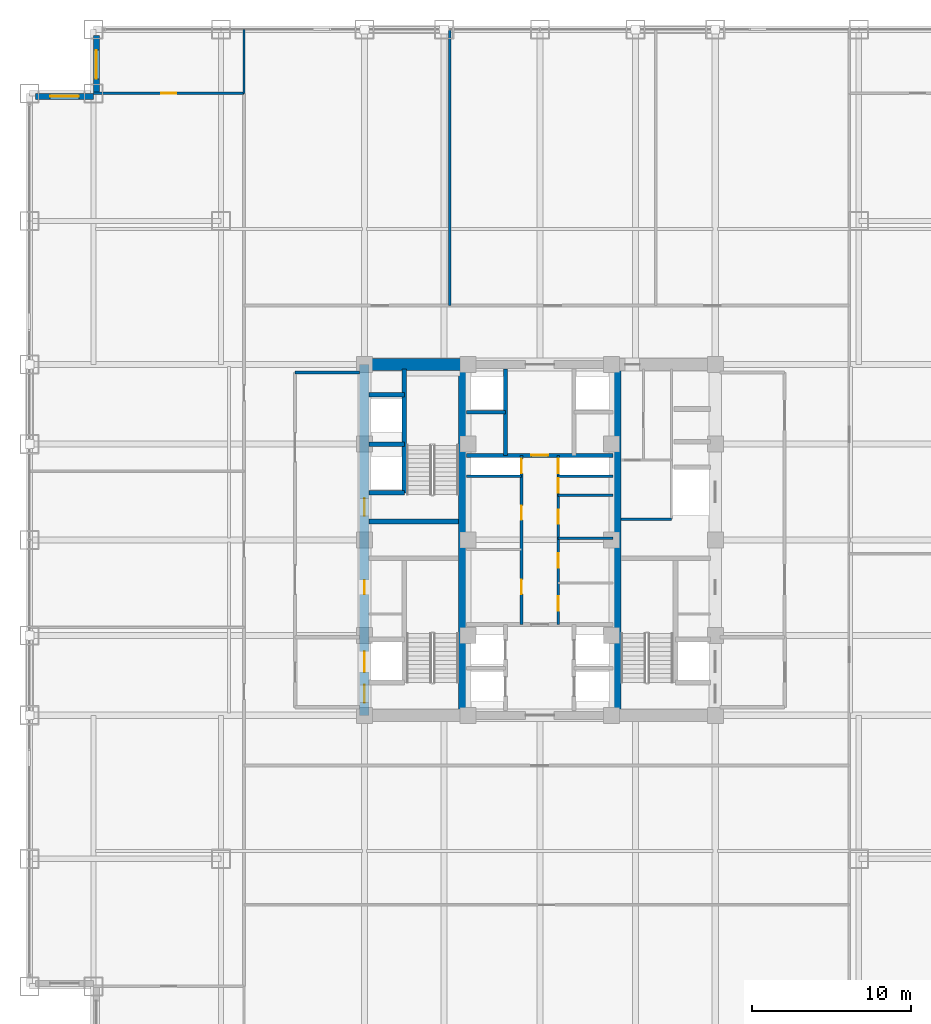
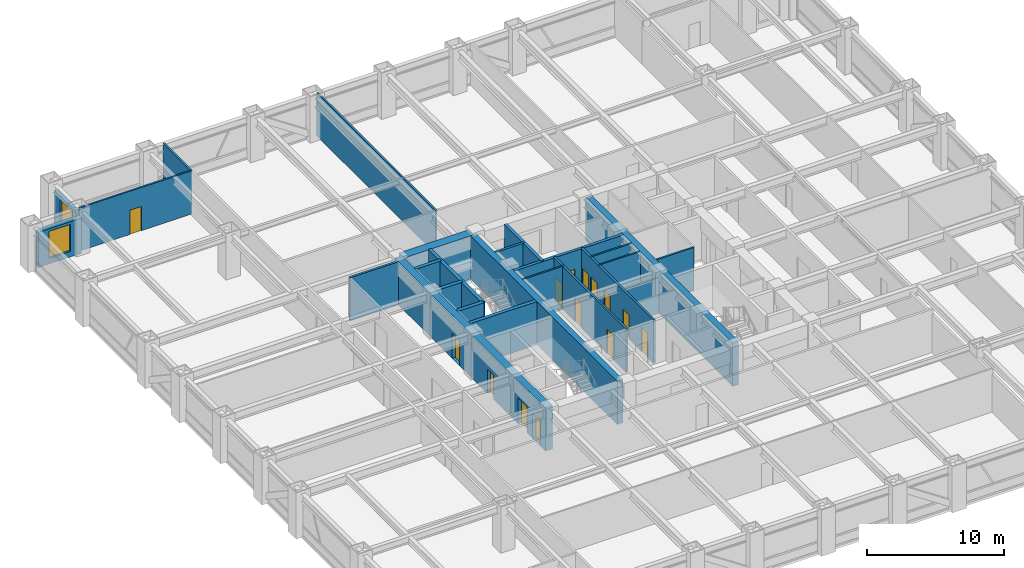
# One storey, part 25 of 28: 25 walls, 14 doors, 2 windows, 16 openings.
"""IFC4 building model written with IfcOpenShell, lengths in metres."""

import ifcopenshell
import ifcopenshell.guid

model = None  # the IFC model being written
_history = None  # IfcOwnerHistory: only IFC2X3 demands one
_inside = {}  # id of a spatial element -> (the spatial element, [elements in it])
_under = {}  # id of a project, library or spatial element -> (it, [spatial elements below it])
_declared = {}  # id of a project -> (the project, [libraries it declares])
_typed = {}  # id of a type object -> (the type object, [elements of that type])
_made_of = {}  # id of a material, layer set ... -> (it, [elements and type objects made of it])


def new_model(schema):
    """Start an empty IFC model of exactly this schema.

    Asked for "IFC4X3", IfcOpenShell would pick the latest addendum, in which some entities
    have other attributes; the version numbers below select the first issue.
    IFC2X3 requires an IfcOwnerHistory on every rooted entity: one is made here for all.
    """
    global model, _history
    if schema == "IFC4X3":
        model = ifcopenshell.file(schema_version=(4, 3, 0, 0))
    else:
        model = ifcopenshell.file(schema=schema)
    _inside.clear()
    _under.clear()
    _declared.clear()
    _typed.clear()
    _made_of.clear()
    _history = None
    if model.schema == "IFC2X3":
        org = make("IfcOrganization", Name="unknown")
        user = make(
            "IfcPersonAndOrganization",
            ThePerson=make("IfcPerson", FamilyName="unknown"),
            TheOrganization=org,
        )
        app = make(
            "IfcApplication",
            ApplicationDeveloper=org,
            Version="unknown",
            ApplicationFullName="unknown",
            ApplicationIdentifier="unknown",
        )
        _history = make(
            "IfcOwnerHistory",
            OwningUser=user,
            OwningApplication=app,
            ChangeAction="ADDED",
            CreationDate=0,
        )
    return model


def make(cls, **values):
    """One entity of the class cls with the attributes given. An attribute that is None is left unset."""
    return model.create_entity(
        cls, **{name: value for name, value in values.items() if value is not None}
    )


def rooted(cls, **values):
    """An entity with a GlobalId (a new one), such as an element, a storey or a relation."""
    return make(cls, GlobalId=ifcopenshell.guid.new(), OwnerHistory=_history, **values)


def si_unit(unit_type, name, prefix=None):
    """IfcSIUnit, for example si_unit("LENGTHUNIT", "METRE", prefix="MILLI")."""
    return make("IfcSIUnit", UnitType=unit_type, Prefix=prefix, Name=name)


def assignment(units):
    """IfcUnitAssignment: the units of a project."""
    return None if units is None else make("IfcUnitAssignment", Units=units)


def point(xyz):
    """IfcCartesianPoint."""
    return None if xyz is None else make("IfcCartesianPoint", Coordinates=xyz)


def direction(xyz):
    """IfcDirection."""
    return None if xyz is None else make("IfcDirection", DirectionRatios=xyz)


def frame(location, z_axis=None, x_axis=None):
    """IfcAxis2Placement3D, a coordinate frame: its origin and axes. An axis left out is left unset."""
    return make(
        "IfcAxis2Placement3D",
        Location=point(location),
        Axis=direction(z_axis),
        RefDirection=direction(x_axis),
    )


def frame_2d(location, x_axis=None):
    """IfcAxis2Placement2D, a coordinate frame in the plane: its origin and x axis."""
    return make(
        "IfcAxis2Placement2D", Location=point(location), RefDirection=direction(x_axis)
    )


def origin():
    """The frame at (0, 0, 0) with its axes left unset."""
    return frame((0.0, 0.0, 0.0))


def place(relative_to, where):
    """IfcLocalPlacement: puts the frame where relative to a parent placement (None: the world)."""
    return make(
        "IfcLocalPlacement", PlacementRelTo=relative_to, RelativePlacement=where
    )


def context(
    kind, dimensions, precision=None, world=None, true_north=None, identifier=None
):
    """IfcGeometricRepresentationContext, for example the 3D "Model" context."""
    return make(
        "IfcGeometricRepresentationContext",
        ContextIdentifier=identifier,
        ContextType=kind,
        CoordinateSpaceDimension=dimensions,
        Precision=precision,
        WorldCoordinateSystem=world,
        TrueNorth=true_north,
    )


def subcontext(parent, identifier, kind, view, scale=None):
    """IfcGeometricRepresentationSubContext, for example "Body" below "Model"."""
    return make(
        "IfcGeometricRepresentationSubContext",
        ContextIdentifier=identifier,
        ContextType=kind,
        ParentContext=parent,
        TargetScale=scale,
        TargetView=view,
    )


def project(units=None, contexts=None):
    """IfcProject with its units and contexts."""
    return rooted(
        "IfcProject",
        Name="project",
        RepresentationContexts=contexts,
        UnitsInContext=assignment(units),
    )


def spatial(cls, under=None, at=None, **own):
    """A site, building, storey or space (cls), placed at a placement, below another one or the project."""
    s = rooted(cls, ObjectPlacement=at, **own)
    if under is not None:
        _under.setdefault(under.id(), (under, []))[1].append(s)
    return s


def profile(cls, at=None, kind="AREA", **sizes):
    """A parametric profile (cls). Its sizes go by their IFC names, for example OverallWidth=200.0."""
    return make(cls, ProfileType=kind, Position=at, **sizes)


def rectangle(**sizes):
    """IfcRectangleProfileDef."""
    return profile("IfcRectangleProfileDef", **sizes)


def extrude(swept, where, along, depth):
    """IfcExtrudedAreaSolid: the profile swept, set in the frame where, extruded along a direction by depth."""
    return make(
        "IfcExtrudedAreaSolid",
        SweptArea=swept,
        Position=where,
        ExtrudedDirection=direction(along),
        Depth=depth,
    )


def shape(context_of_items, identifier, shape_type, items):
    """IfcShapeRepresentation: the items that make up one representation, for example the "Body"."""
    return make(
        "IfcShapeRepresentation",
        ContextOfItems=context_of_items,
        RepresentationIdentifier=identifier,
        RepresentationType=shape_type,
        Items=items,
    )


def source(mapping_origin, context_of_items, identifier, shape_type, items):
    """IfcRepresentationMap: a shape defined once, which mapped items show again and again."""
    return make(
        "IfcRepresentationMap",
        MappingOrigin=mapping_origin,
        MappedRepresentation=shape(context_of_items, identifier, shape_type, items),
    )


def transform(
    local_origin,
    x_axis=None,
    y_axis=None,
    z_axis=None,
    scale=None,
    scale2=None,
    scale3=None,
    uniform=True,
):
    """IfcCartesianTransformationOperator3D, or its non-uniform kind. x_axis, y_axis, z_axis: its Axis1, 2, 3."""
    if uniform:
        return make(
            "IfcCartesianTransformationOperator3D",
            Axis1=direction(x_axis),
            Axis2=direction(y_axis),
            LocalOrigin=point(local_origin),
            Scale=scale,
            Axis3=direction(z_axis),
        )
    return make(
        "IfcCartesianTransformationOperator3DnonUniform",
        Axis1=direction(x_axis),
        Axis2=direction(y_axis),
        LocalOrigin=point(local_origin),
        Scale=scale,
        Axis3=direction(z_axis),
        Scale2=scale2,
        Scale3=scale3,
    )


def mapped(mapping_source, mapping_target):
    """IfcMappedItem: shows the shape of a source again, moved by a transform."""
    return make(
        "IfcMappedItem", MappingSource=mapping_source, MappingTarget=mapping_target
    )


def material(Name=None, Category=None):
    """IfcMaterial."""
    return make("IfcMaterial", Name=Name, Category=Category)


def layer(
    of_material, thickness, ventilated=None, Name=None, Category=None, Priority=None
):
    """IfcMaterialLayer: one layer of a wall or slab, of a material (None: an air gap)."""
    return make(
        "IfcMaterialLayer",
        Material=of_material,
        LayerThickness=thickness,
        IsVentilated=ventilated,
        Name=Name,
        Category=Category,
        Priority=Priority,
    )


def layer_set(layers, Name=None):
    """IfcMaterialLayerSet."""
    return make("IfcMaterialLayerSet", MaterialLayers=layers, LayerSetName=Name)


def made_of(thing, what):
    """Note that an element or type object is made of a material, layer set ...; save() writes the relation."""
    if what is not None:
        _made_of.setdefault(what.id(), (what, []))[1].append(thing)
    return thing


def type_object(cls, material=None, **own):
    """A type object (cls), such as IfcWallType, which elements share."""
    return made_of(rooted(cls, **own), material)


def element(
    cls,
    number,
    at=None,
    inside=None,
    cuts=None,
    type_object=None,
    material=None,
    context=None,
    identifier="Body",
    shape_type=None,
    held_by="IfcProductDefinitionShape",
    body=None,
    shapes=None,
    **own,
):
    """One element of the class cls, such as IfcWall. Its Tag is "e" and its number.

    at: its placement. inside: the storey or other place that contains it. cuts: it is an
    opening in that element (IfcRelVoidsElement). A single representation is given by context,
    identifier, shape_type and body (its items); several are given by shapes. held_by: the class
    of the entity that holds the representations. save() writes the other relations.
    """
    e = rooted(cls, Tag="e%d" % number, ObjectPlacement=at, **own)
    if body is not None:
        shapes = [shape(context, identifier, shape_type, body)]
    if shapes is not None:
        e.Representation = make(held_by, Representations=shapes)
    if inside is not None:
        _inside.setdefault(inside.id(), (inside, []))[1].append(e)
    if cuts is not None:
        rooted(
            "IfcRelVoidsElement", RelatingBuildingElement=cuts, RelatedOpeningElement=e
        )
    if type_object is not None:
        _typed.setdefault(type_object.id(), (type_object, []))[1].append(e)
    return made_of(e, material)


def fill(opening, filler):
    """IfcRelFillsElement: the door or window that sits in an opening."""
    return rooted(
        "IfcRelFillsElement",
        RelatingOpeningElement=opening,
        RelatedBuildingElement=filler,
    )


def aggregate(whole, parts):
    """IfcRelAggregates: a whole, such as a stair, and the parts it consists of."""
    return rooted("IfcRelAggregates", RelatingObject=whole, RelatedObjects=parts)


def save(model, path):
    """Write the relations noted so far, then the file.

    IfcRelAggregates (storeys below a building ...), IfcRelContainedInSpatialStructure (elements
    in a storey), IfcRelDefinesByType, IfcRelAssociatesMaterial and IfcRelDeclares: one each for
    every whole, place, type object, material and project.
    """
    for whole, parts in _under.values():
        aggregate(whole, parts)
    for where, things in _inside.values():
        rooted(
            "IfcRelContainedInSpatialStructure",
            RelatedElements=things,
            RelatingStructure=where,
        )
    for kind, things in _typed.values():
        rooted("IfcRelDefinesByType", RelatedObjects=things, RelatingType=kind)
    for what, things in _made_of.values():
        rooted("IfcRelAssociatesMaterial", RelatedObjects=things, RelatingMaterial=what)
    for by, libraries in _declared.values():
        rooted("IfcRelDeclares", RelatingContext=by, RelatedDefinitions=libraries)
    model.write(path)


model = new_model("IFC4")

# Units and contexts
model_context = context("Model", 3, precision=1e-05, world=origin(), true_north=direction((0.0, 1.0)))
body_context = subcontext(model_context, "Body", "Model", "MODEL_VIEW")
ifc_project = project(units=[si_unit("LENGTHUNIT", "METRE"), si_unit("AREAUNIT", "SQUARE_METRE"), si_unit("VOLUMEUNIT", "CUBIC_METRE"), si_unit("PLANEANGLEUNIT", "RADIAN"), si_unit("MASSUNIT", "GRAM", prefix="KILO")], contexts=[model_context])

# Site, building, storey
site_placement = place(None, origin())
site = spatial("IfcSite", under=ifc_project, at=site_placement, CompositionType="ELEMENT")
building_placement = place(site_placement, origin())
building = spatial("IfcBuilding", under=site, at=building_placement, Name="Khorayat Bourse Tower", CompositionType="ELEMENT")
storey_placement = place(building_placement, frame((0.0, 0.0, 120.10009765625)))
storey = spatial("IfcBuildingStorey", under=building, at=storey_placement, Name="L27", CompositionType="ELEMENT", Elevation=120.10009765625)

# Wall, openings, doors
ifc_material_1 = material(Name="Concrete C60/75", Category="concrete")
ifc_layer_1 = layer(ifc_material_1, 0.60009765625)
ifc_layer_set_1 = layer_set([ifc_layer_1], Name="Concrete C60/75")
wall_type_1 = type_object("IfcWallType", Name="WAL-CORE-600", PredefinedType="SHEAR", material=ifc_layer_set_1)
shared_shape_1 = source(origin(), body_context, "Body", "SweptSolid", [
    extrude(rectangle(XDim=22.0, YDim=0.60009765625, at=frame_2d((11.0, 0.0))), origin(), (0.0, 0.0, 1.0), 3.83984375),
])
wall_1_placement = place(storey_placement, frame((-11.0, -11.0, 0.0), z_axis=(0.0, 0.0, 1.0), x_axis=(0.0, 1.0, 0.0)))
wall_1 = element("IfcWall", 1, at=wall_1_placement, inside=storey, type_object=wall_type_1, Name="L27 Core Shear Wall CORE-W", PredefinedType="SHEAR", context=body_context, shape_type="MappedRepresentation", body=[
    mapped(shared_shape_1, transform((0.0, 0.0, 0.0), scale=1.0)),
])
shared_shape_2 = source(origin(), body_context, "Body", "SweptSolid", [
    extrude(rectangle(XDim=1.10009765625, YDim=2.199951171875, at=frame_2d((0.550048828125, 1.10009765625))), frame((0.0, 0.31005859375, 0.0), z_axis=(0.0, -1.0, 0.0), x_axis=(1.0, 0.0, 0.0)), (0.0, 0.0, 1.0), 0.6201171875),
])
opening_1_placement = place(wall_1_placement, frame((0.800048828125, 0.0, 0.0)))
opening_1 = element("IfcOpeningElement", 2, at=opening_1_placement, cuts=wall_1, Name="Opening DI-01", PredefinedType="OPENING", context=body_context, shape_type="MappedRepresentation", body=[
    mapped(shared_shape_2, transform((0.0, 0.0, 0.0), scale=1.0)),
])
opening_2_placement = place(wall_1_placement, frame((12.5, 0.0, 0.0)))
opening_2 = element("IfcOpeningElement", 3, at=opening_2_placement, cuts=wall_1, Name="Opening DI-01", PredefinedType="OPENING", context=body_context, shape_type="MappedRepresentation", body=[
    mapped(shared_shape_2, transform((0.0, 0.0, 0.0), scale=1.0)),
])
shared_shape_3 = source(origin(), body_context, "Body", "SweptSolid", [
    extrude(rectangle(XDim=0.89990234375, YDim=2.14990234375, at=frame_2d((0.449951171875, 1.074951171875))), frame((0.0, 0.31005859375, 0.0), z_axis=(0.0, -1.0, 0.0), x_axis=(1.0, 0.0, 0.0)), (0.0, 0.0, 1.0), 0.6201171875),
])
opening_3_placement = place(wall_1_placement, frame((7.574951171875, 0.0, 0.0)))
opening_3 = element("IfcOpeningElement", 4, at=opening_3_placement, cuts=wall_1, Name="Opening DI-06", PredefinedType="OPENING", context=body_context, shape_type="MappedRepresentation", body=[
    mapped(shared_shape_3, transform((0.0, 0.0, 0.0), scale=1.0)),
])
shared_shape_4 = source(origin(), body_context, "Body", "SweptSolid", [
    extrude(rectangle(XDim=1.300048828125, YDim=2.300048828125, at=frame_2d((0.64990234375, 1.14990234375))), frame((0.0, 0.31005859375, 0.0), z_axis=(0.0, -1.0, 0.0), x_axis=(1.0, 0.0, 0.0)), (0.0, 0.0, 1.0), 0.6201171875),
])
opening_4_placement = place(wall_1_placement, frame((2.699951171875, 0.0, 0.0)))
opening_4 = element("IfcOpeningElement", 5, at=opening_4_placement, cuts=wall_1, Name="Opening LD-02", PredefinedType="OPENING", context=body_context, shape_type="MappedRepresentation", body=[
    mapped(shared_shape_4, transform((0.0, 0.0, 0.0), scale=1.0)),
])
ifc_material_2 = material(Name="Fire-rated steel acoustic leaf", Category="steel")
door_type_1 = type_object("IfcDoorType", Name="DR-INT-STAIR-1100", OperationType="NOTDEFINED", PredefinedType="DOOR", material=ifc_material_2)
shared_shape_5 = source(origin(), body_context, "Body", "SweptSolid", [
    extrude(rectangle(XDim=1.10009765625, YDim=2.199951171875, at=frame_2d((0.550048828125, 1.10009765625))), frame((0.0, 0.02490234375, 0.0), z_axis=(0.0, -1.0, 0.0), x_axis=(1.0, 0.0, 0.0)), (0.0, 0.0, 1.0), 0.050048828125),
])
door_1_placement = place(opening_1_placement, origin())
door_1 = element("IfcDoor", 6, at=door_1_placement, inside=storey, type_object=door_type_1, Name="L27 Exit Stair 1 Door", OperationType="SINGLE_SWING_RIGHT", OverallHeight=2.199951171875, OverallWidth=1.10009765625, PredefinedType="DOOR", context=body_context, shape_type="MappedRepresentation", body=[
    mapped(shared_shape_5, transform((0.0, 0.0, 0.0), scale=1.0)),
])
fill(opening_1, door_1)
door_2_placement = place(opening_2_placement, origin())
door_2 = element("IfcDoor", 7, at=door_2_placement, inside=storey, type_object=door_type_1, Name="L27 Exit Stair 2 Door", OperationType="SINGLE_SWING_RIGHT", OverallHeight=2.199951171875, OverallWidth=1.10009765625, PredefinedType="DOOR", context=body_context, shape_type="MappedRepresentation", body=[
    mapped(shared_shape_5, transform((0.0, 0.0, 0.0), scale=1.0)),
])
fill(opening_2, door_2)
ifc_material_3 = material(Name="Moisture-resistant laminate washroom door")
door_type_2 = type_object("IfcDoorType", Name="DR-INT-WC-900", OperationType="NOTDEFINED", PredefinedType="DOOR", material=ifc_material_3)
shared_shape_6 = source(origin(), body_context, "Body", "SweptSolid", [
    extrude(rectangle(XDim=0.89990234375, YDim=2.14990234375, at=frame_2d((0.449951171875, 1.074951171875))), frame((0.0, 0.02490234375, 0.0), z_axis=(0.0, -1.0, 0.0), x_axis=(1.0, 0.0, 0.0)), (0.0, 0.0, 1.0), 0.050048828125),
])
door_3_placement = place(opening_3_placement, origin())
door_3 = element("IfcDoor", 8, at=door_3_placement, inside=storey, type_object=door_type_2, Name="L27 UPS Switch Plant Room Door", OperationType="SINGLE_SWING_RIGHT", OverallHeight=2.14990234375, OverallWidth=0.89990234375, PredefinedType="DOOR", context=body_context, shape_type="MappedRepresentation", body=[
    mapped(shared_shape_6, transform((0.0, 0.0, 0.0), scale=1.0)),
])
fill(opening_3, door_3)
ifc_material_4 = material(Name="Fire-rated stainless-steel sliding landing door", Category="steel")
door_type_3 = type_object("IfcDoorType", Name="DR-LIFT-FF-1300", OperationType="NOTDEFINED", PredefinedType="DOOR", material=ifc_material_4)
shared_shape_7 = source(origin(), body_context, "Body", "SweptSolid", [
    extrude(rectangle(XDim=1.300048828125, YDim=2.300048828125, at=frame_2d((0.64990234375, 1.14990234375))), frame((0.0, 0.02490234375, 0.0), z_axis=(0.0, -1.0, 0.0), x_axis=(1.0, 0.0, 0.0)), (0.0, 0.0, 1.0), 0.050048828125),
])
door_4_placement = place(opening_4_placement, origin())
door_4 = element("IfcDoor", 9, at=door_4_placement, inside=storey, type_object=door_type_3, Name="L27 Lift FFL-01 Sliding Landing Door", OperationType="SLIDING_TO_LEFT", OverallHeight=2.300048828125, OverallWidth=1.300048828125, PredefinedType="DOOR", context=body_context, shape_type="MappedRepresentation", body=[
    mapped(shared_shape_7, transform((0.0, 0.0, 0.0), scale=1.0)),
])
fill(opening_4, door_4)

# Walls
ifc_material_5 = material(Name="Concrete C52/65", Category="concrete")
ifc_layer_2 = layer(ifc_material_5, 0.5)
ifc_layer_set_2 = layer_set([ifc_layer_2], Name="Concrete C52/65")
wall_type_2 = type_object("IfcWallType", Name="WAL-CORE-500", PredefinedType="SHEAR", material=ifc_layer_set_2)
shared_shape_8 = source(origin(), body_context, "Body", "SweptSolid", [
    extrude(rectangle(XDim=21.39990234375, YDim=0.5, at=frame_2d((10.699951171875, 0.0))), origin(), (0.0, 0.0, 1.0), 3.83984375),
])
for number, where, z_axis, x_axis, name in (
    (10, (-4.85009765625, -10.699951171875, 0.0), (0.0, 0.0, 1.0), (0.0, 1.0, 0.0), "L27 Core Shear Wall PIER-W"),
    (11, (4.85009765625, -10.699951171875, 0.0), (0.0, 0.0, 1.0), (0.0, 1.0, 0.0), "L27 Core Shear Wall PIER-E"),
):
    element("IfcWall", number, at=place(storey_placement, frame(where, z_axis=z_axis, x_axis=x_axis)), inside=storey, type_object=wall_type_2, Name=name, PredefinedType="SHEAR", context=body_context, shape_type="MappedRepresentation", body=[
        mapped(shared_shape_8, transform((0.0, 0.0, 0.0), scale=1.0)),
    ])
ifc_material_6 = material(Name="Concrete C72/90", Category="concrete")
ifc_layer_3 = layer(ifc_material_6, 0.75)
ifc_layer_set_3 = layer_set([ifc_layer_3], Name="Concrete C72/90")
wall_type_3 = type_object("IfcWallType", Name="WAL-CORE-750", PredefinedType="SHEAR", material=ifc_layer_set_3)
shared_shape_9 = source(origin(), body_context, "Body", "SweptSolid", [
    extrude(rectangle(XDim=5.849853515625, YDim=0.75, at=frame_2d((2.9248046875, 0.0))), origin(), (0.0, 0.0, 1.0), 3.83984375),
])
wall_2_placement = place(storey_placement, frame((-10.699951171875, 11.0, 0.0), z_axis=(0.0, 0.0, 1.0), x_axis=(1.0, 0.0, 0.0)))
element("IfcWall", 12, at=wall_2_placement, inside=storey, type_object=wall_type_3, Name="L27 Core Shear Wall PIER-WN", PredefinedType="SHEAR", context=body_context, shape_type="MappedRepresentation", body=[
    mapped(shared_shape_9, transform((0.0, 0.0, 0.0), scale=1.0)),
])
ifc_material_7 = material(Name="Concrete C50/60", Category="concrete")
ifc_layer_4 = layer(ifc_material_7, 0.300048828125)
ifc_layer_set_4 = layer_set([ifc_layer_4], Name="Concrete C50/60")
wall_type_4 = type_object("IfcWallType", Name="WAL-SHAFT-300", PredefinedType="SHEAR", material=ifc_layer_set_4)
shared_shape_10 = source(origin(), body_context, "Body", "SweptSolid", [
    extrude(rectangle(XDim=5.599853515625, YDim=0.300048828125, at=frame_2d((2.7998046875, 0.0))), origin(), (0.0, 0.0, 1.0), 3.83984375),
])
wall_3_placement = place(storey_placement, frame((-10.699951171875, 1.14990234375, 0.0), z_axis=(0.0, 0.0, 1.0), x_axis=(1.0, 0.0, 0.0)))
element("IfcWall", 13, at=wall_3_placement, inside=storey, type_object=wall_type_4, Name="L27 Core Shear Wall ST2-DIV", PredefinedType="SHEAR", context=body_context, shape_type="MappedRepresentation", body=[
    mapped(shared_shape_10, transform((0.0, 0.0, 0.0), scale=1.0)),
])

# Wall, opening, window
ifc_material_8 = material(Name="Precast concrete C45/55", Category="concrete")
ifc_layer_5 = layer(ifc_material_8, 0.3798828125)
ifc_layer_set_5 = layer_set([ifc_layer_5], Name="Precast concrete C45/55")
wall_type_5 = type_object("IfcWallType", Name="WAL-EXT-STONE-380", PredefinedType="STANDARD", material=ifc_layer_set_5)
shared_shape_11 = source(origin(), body_context, "Body", "SweptSolid", [
    extrude(rectangle(XDim=3.6201171875, YDim=0.3798828125, at=frame_2d((1.81005859375, 0.0))), origin(), (0.0, 0.0, 1.0), 3.14501953125),
])
wall_4_placement = place(storey_placement, frame((-27.81005859375, 28.0, 0.0), z_axis=(0.0, 0.0, 1.0), x_axis=(0.0, 1.0, 0.0)))
wall_4 = element("IfcWall", 14, at=wall_4_placement, inside=storey, type_object=wall_type_5, Name="L27 Re-Entrant Notch Limestone Wall NW-V", PredefinedType="STANDARD", context=body_context, shape_type="MappedRepresentation", body=[
    mapped(shared_shape_11, transform((0.0, 0.0, 0.0), scale=1.0)),
])
shared_shape_12 = source(origin(), body_context, "Body", "SweptSolid", [
    extrude(rectangle(XDim=1.800048828125, YDim=2.39990234375, at=frame_2d((0.89990234375, 1.199951171875))), frame((0.0, 0.199951171875, 0.0), z_axis=(0.0, -1.0, 0.0), x_axis=(1.0, 0.0, 0.0)), (0.0, 0.0, 1.0), 0.39990234375),
])
opening_5_placement = place(wall_4_placement, frame((0.909912109375, 0.0, 0.5)))
opening_5 = element("IfcOpeningElement", 15, at=opening_5_placement, cuts=wall_4, Name="Opening WN-04", PredefinedType="OPENING", context=body_context, shape_type="MappedRepresentation", body=[
    mapped(shared_shape_12, transform((0.0, 0.0, 0.0), scale=1.0)),
])
ifc_material_9 = material(Name="Low-E acoustic laminated double glazing", Category="glass")
window_type = type_object("IfcWindowType", Name="WIN-NOTCH-1800x2400", PartitioningType="SINGLE_PANEL", PredefinedType="WINDOW", material=ifc_material_9)
shared_shape_13 = source(origin(), body_context, "Body", "SweptSolid", [
    extrude(rectangle(XDim=1.800048828125, YDim=2.39990234375, at=frame_2d((0.89990234375, 1.199951171875))), frame((0.0, 0.030029296875, 0.0), z_axis=(0.0, -1.0, 0.0), x_axis=(1.0, 0.0, 0.0)), (0.0, 0.0, 1.0), 0.06005859375),
])
window_1_placement = place(opening_5_placement, origin())
window_1 = element("IfcWindow", 16, at=window_1_placement, inside=storey, type_object=window_type, Name="L27 Facade Window 1", OverallHeight=2.39990234375, OverallWidth=1.800048828125, PartitioningType="SINGLE_PANEL", PredefinedType="WINDOW", context=body_context, shape_type="MappedRepresentation", body=[
    mapped(shared_shape_13, transform((0.0, 0.0, 0.0), scale=1.0)),
])
fill(opening_5, window_1)

wall_5_placement = place(storey_placement, frame((-28.0, 27.81005859375, 0.0), z_axis=(0.0, 0.0, 1.0), x_axis=(-1.0, 0.0, 0.0)))
wall_5 = element("IfcWall", 17, at=wall_5_placement, inside=storey, type_object=wall_type_5, Name="L27 Re-Entrant Notch Limestone Wall NW-H", PredefinedType="STANDARD", context=body_context, shape_type="MappedRepresentation", body=[
    mapped(shared_shape_11, transform((0.0, 0.0, 0.0), scale=1.0)),
])
opening_6_placement = place(wall_5_placement, frame((0.909912109375, 0.0, 0.5)))
opening_6 = element("IfcOpeningElement", 18, at=opening_6_placement, cuts=wall_5, Name="Opening WN-04", PredefinedType="OPENING", context=body_context, shape_type="MappedRepresentation", body=[
    mapped(shared_shape_12, transform((0.0, 0.0, 0.0), scale=1.0)),
])
window_2_placement = place(opening_6_placement, origin())
window_2 = element("IfcWindow", 19, at=window_2_placement, inside=storey, type_object=window_type, Name="L27 Facade Window 1", OverallHeight=2.39990234375, OverallWidth=1.800048828125, PartitioningType="SINGLE_PANEL", PredefinedType="WINDOW", context=body_context, shape_type="MappedRepresentation", body=[
    mapped(shared_shape_13, transform((0.0, 0.0, 0.0), scale=1.0)),
])
fill(opening_6, window_2)

# Walls
shared_shape_14 = source(origin(), body_context, "Body", "SweptSolid", [
    extrude(rectangle(XDim=2.199951171875, YDim=0.300048828125, at=frame_2d((1.10009765625, 0.0))), origin(), (0.0, 0.0, 1.0), 3.83984375),
])
for number, where, z_axis, x_axis, name in (
    (20, (-10.699951171875, 2.949951171875, 0.0), (0.0, 0.0, 1.0), (1.0, 0.0, 0.0), "L27 Partition WAL-L27-WPIER-H1S"),
    (21, (-10.699951171875, 6.0, 0.0), (0.0, 0.0, 1.0), (1.0, 0.0, 0.0), "L27 Partition WAL-L27-WPIER-H12"),
    (22, (-10.699951171875, 9.10009765625, 0.0), (0.0, 0.0, 1.0), (1.0, 0.0, 0.0), "L27 Partition WAL-L27-WPIER-H2N"),
):
    element("IfcWall", number, at=place(storey_placement, frame(where, z_axis=z_axis, x_axis=x_axis)), inside=storey, type_object=wall_type_4, Name=name, PredefinedType="SHEAR", context=body_context, shape_type="MappedRepresentation", body=[
        mapped(shared_shape_14, transform((0.0, 0.0, 0.0), scale=1.0)),
    ])
shared_shape_15 = source(origin(), body_context, "Body", "SweptSolid", [
    extrude(rectangle(XDim=7.75, YDim=0.300048828125, at=frame_2d((3.875, 0.0))), origin(), (0.0, 0.0, 1.0), 3.83984375),
])
wall_6_placement = place(storey_placement, frame((-8.5, 2.949951171875, 0.0), z_axis=(0.0, 0.0, 1.0), x_axis=(0.0, 1.0, 0.0)))
element("IfcWall", 23, at=wall_6_placement, inside=storey, type_object=wall_type_4, Name="L27 Partition WAL-L27-WPIER-ST2S", PredefinedType="SHEAR", context=body_context, shape_type="MappedRepresentation", body=[
    mapped(shared_shape_15, transform((0.0, 0.0, 0.0), scale=1.0)),
])
ifc_material_10 = material(Name="Moisture-resistant masonry partition", Category="masonry")
ifc_layer_6 = layer(ifc_material_10, 0.139892578125)
ifc_layer_set_6 = layer_set([ifc_layer_6], Name="Moisture-resistant masonry partition")
wall_type_6 = type_object("IfcWallType", Name="WAL-PART-WET-140", PredefinedType="PARTITIONING", material=ifc_layer_set_6)
shared_shape_16 = source(origin(), body_context, "Body", "SweptSolid", [
    extrude(rectangle(XDim=3.14990234375, YDim=0.139892578125, at=frame_2d((1.574951171875, 0.0))), origin(), (0.0, 0.0, 1.0), 3.83984375),
])
wall_7_placement = place(storey_placement, frame((5.10009765625, 1.300048828125, 0.0), z_axis=(0.0, 0.0, 1.0), x_axis=(1.0, 0.0, 0.0)))
element("IfcWall", 24, at=wall_7_placement, inside=storey, type_object=wall_type_6, Name="L27 Partition WAL-L27-ECORE-S", PredefinedType="PARTITIONING", context=body_context, shape_type="MappedRepresentation", body=[
    mapped(shared_shape_16, transform((0.0, 0.0, 0.0), scale=1.0)),
])
ifc_material_11 = material(Name="Gypsum plasterboard acoustic stud wall")
ifc_layer_7 = layer(ifc_material_11, 0.179931640625)
ifc_layer_set_7 = layer_set([ifc_layer_7], Name="Gypsum plasterboard acoustic stud wall")
wall_type_7 = type_object("IfcWallType", Name="WAL-PART-CORR-180", PredefinedType="PARTITIONING", material=ifc_layer_set_7)
shared_shape_17 = source(origin(), body_context, "Body", "SweptSolid", [
    extrude(rectangle(XDim=4.050048828125, YDim=0.179931640625, at=frame_2d((2.02490234375, 0.0))), origin(), (0.0, 0.0, 1.0), 3.83984375),
])
wall_8_placement = place(storey_placement, frame((-15.35009765625, 10.5, 0.0), z_axis=(0.0, 0.0, 1.0), x_axis=(1.0, 0.0, 0.0)))
element("IfcWall", 25, at=wall_8_placement, inside=storey, type_object=wall_type_7, Name="L27 Partition WAL-L27-WLOB-N", PredefinedType="PARTITIONING", context=body_context, shape_type="MappedRepresentation", body=[
    mapped(shared_shape_17, transform((0.0, 0.0, 0.0), scale=1.0)),
])
ifc_material_12 = material(Name="Gypsum plasterboard twin-frame partition")
ifc_layer_8 = layer(ifc_material_12, 0.14990234375)
ifc_layer_set_8 = layer_set([ifc_layer_8], Name="Gypsum plasterboard twin-frame partition")
wall_type_8 = type_object("IfcWallType", Name="WAL-PART-SUITE-150", PredefinedType="PARTITIONING", material=ifc_layer_set_8)
shared_shape_18 = source(origin(), body_context, "Body", "SweptSolid", [
    extrude(rectangle(XDim=3.4501953125, YDim=0.14990234375, at=frame_2d((1.72509765625, 0.0))), origin(), (0.0, 0.0, 1.0), 3.83984375),
])
for number, where, z_axis, x_axis, name in (
    (26, (-4.60009765625, 4.0, 0.0), (0.0, 0.0, 1.0), (1.0, 0.0, 0.0), "L27 Partition WAL-L27-CRSW-S"),
    (27, (1.14990234375, 4.0, 0.0), (0.0, 0.0, 1.0), (1.0, 0.0, 0.0), "L27 Partition WAL-L27-CRSE-S"),
):
    element("IfcWall", number, at=place(storey_placement, frame(where, z_axis=z_axis, x_axis=x_axis)), inside=storey, type_object=wall_type_8, Name=name, PredefinedType="PARTITIONING", context=body_context, shape_type="MappedRepresentation", body=[
        mapped(shared_shape_18, transform((0.0, 0.0, 0.0), scale=1.0)),
    ])
shared_shape_19 = source(origin(), body_context, "Body", "SweptSolid", [
    extrude(rectangle(XDim=5.39990234375, YDim=0.25, at=frame_2d((2.699951171875, 0.0))), origin(), (0.0, 0.0, 1.0), 3.83984375),
])
wall_9_placement = place(storey_placement, frame((-2.14990234375, 5.300048828125, 0.0), z_axis=(0.0, 0.0, 1.0), x_axis=(0.0, 1.0, 0.0)))
element("IfcWall", 28, at=wall_9_placement, inside=storey, type_object=wall_type_4, Name="L27 Partition WAL-L27-B2-W", PredefinedType="SHEAR", context=body_context, shape_type="MappedRepresentation", body=[
    mapped(shared_shape_19, transform((0.0, 0.0, 0.0), scale=1.0)),
])
shared_shape_20 = source(origin(), body_context, "Body", "SweptSolid", [
    extrude(rectangle(XDim=2.4501953125, YDim=0.199951171875, at=frame_2d((1.22509765625, 0.0))), origin(), (0.0, 0.0, 1.0), 3.83984375),
])
wall_10_placement = place(storey_placement, frame((-4.60009765625, 8.0, 0.0), z_axis=(0.0, 0.0, 1.0), x_axis=(1.0, 0.0, 0.0)))
element("IfcWall", 29, at=wall_10_placement, inside=storey, type_object=wall_type_4, Name="L27 Partition WAL-L27-B2-MW", PredefinedType="SHEAR", context=body_context, shape_type="MappedRepresentation", body=[
    mapped(shared_shape_20, transform((0.0, 0.0, 0.0), scale=1.0)),
])

# Wall, opening, door
shared_shape_21 = source(origin(), body_context, "Body", "SweptSolid", [
    extrude(rectangle(XDim=9.2001953125, YDim=0.25, at=frame_2d((4.60009765625, 0.0))), origin(), (0.0, 0.0, 1.0), 3.83984375),
])
wall_11_placement = place(storey_placement, frame((-4.60009765625, 5.300048828125, 0.0), z_axis=(0.0, 0.0, 1.0), x_axis=(1.0, 0.0, 0.0)))
wall_11 = element("IfcWall", 30, at=wall_11_placement, inside=storey, type_object=wall_type_4, Name="L27 Partition WAL-L27-B2-S", PredefinedType="SHEAR", context=body_context, shape_type="MappedRepresentation", body=[
    mapped(shared_shape_21, transform((0.0, 0.0, 0.0), scale=1.0)),
])
shared_shape_22 = source(origin(), body_context, "Body", "SweptSolid", [
    extrude(rectangle(XDim=1.050048828125, YDim=2.199951171875, at=frame_2d((0.52490234375, 1.10009765625))), frame((0.0, 0.135009765625, 0.0), z_axis=(0.0, -1.0, 0.0), x_axis=(1.0, 0.0, 0.0)), (0.0, 0.0, 1.0), 0.27001953125),
])
opening_7_placement = place(wall_11_placement, frame((4.074951171875, 0.0, 0.0)))
opening_7 = element("IfcOpeningElement", 31, at=opening_7_placement, cuts=wall_11, Name="Opening DI-04", PredefinedType="OPENING", context=body_context, shape_type="MappedRepresentation", body=[
    mapped(shared_shape_22, transform((0.0, 0.0, 0.0), scale=1.0)),
])
ifc_material_13 = material(Name="Fire-rated oak veneer suite entrance door")
door_type_4 = type_object("IfcDoorType", Name="DR-INT-SUITE-1050", OperationType="NOTDEFINED", PredefinedType="DOOR", material=ifc_material_13)
shared_shape_23 = source(origin(), body_context, "Body", "SweptSolid", [
    extrude(rectangle(XDim=1.050048828125, YDim=2.199951171875, at=frame_2d((0.52490234375, 1.10009765625))), frame((0.0, 0.02490234375, 0.0), z_axis=(0.0, -1.0, 0.0), x_axis=(1.0, 0.0, 0.0)), (0.0, 0.0, 1.0), 0.050048828125),
])
door_5_placement = place(opening_7_placement, origin())
door_5 = element("IfcDoor", 32, at=door_5_placement, inside=storey, type_object=door_type_4, Name="L27 Core Spine North Door", OperationType="SINGLE_SWING_RIGHT", OverallHeight=2.199951171875, OverallWidth=1.050048828125, PredefinedType="DOOR", context=body_context, shape_type="MappedRepresentation", body=[
    mapped(shared_shape_23, transform((0.0, 0.0, 0.0), scale=1.0)),
])
fill(opening_7, door_5)

# Wall, openings, doors
shared_shape_24 = source(origin(), body_context, "Body", "SweptSolid", [
    extrude(rectangle(XDim=10.60009765625, YDim=0.179931640625, at=frame_2d((5.300048828125, 0.0))), origin(), (0.0, 0.0, 1.0), 3.83984375),
])
wall_12_placement = place(storey_placement, frame((-1.14990234375, -5.300048828125, 0.0), z_axis=(0.0, 0.0, 1.0), x_axis=(0.0, 1.0, 0.0)))
wall_12 = element("IfcWall", 33, at=wall_12_placement, inside=storey, type_object=wall_type_7, Name="L27 Partition WAL-L27-CMW-L", PredefinedType="PARTITIONING", context=body_context, shape_type="MappedRepresentation", body=[
    mapped(shared_shape_24, transform((0.0, 0.0, 0.0), scale=1.0)),
])
shared_shape_25 = source(origin(), body_context, "Body", "SweptSolid", [
    extrude(rectangle(XDim=0.89990234375, YDim=2.14990234375, at=frame_2d((0.449951171875, 1.074951171875))), frame((0.0, 0.099853515625, 0.0), z_axis=(0.0, -1.0, 0.0), x_axis=(1.0, 0.0, 0.0)), (0.0, 0.0, 1.0), 0.199951171875),
])
opening_8_placement = place(wall_12_placement, frame((1.89990234375, 0.0, 0.0)))
opening_8 = element("IfcOpeningElement", 34, at=opening_8_placement, cuts=wall_12, Name="Opening DI-06", PredefinedType="OPENING", context=body_context, shape_type="MappedRepresentation", body=[
    mapped(shared_shape_25, transform((0.0, 0.0, 0.0), scale=1.0)),
])
opening_9_placement = place(wall_12_placement, frame((6.550048828125, 0.0, 0.0)))
opening_9 = element("IfcOpeningElement", 35, at=opening_9_placement, cuts=wall_12, Name="Opening DI-06", PredefinedType="OPENING", context=body_context, shape_type="MappedRepresentation", body=[
    mapped(shared_shape_25, transform((0.0, 0.0, 0.0), scale=1.0)),
])
opening_10_placement = place(wall_12_placement, frame((9.47509765625, 0.0, 0.0)))
opening_10 = element("IfcOpeningElement", 36, at=opening_10_placement, cuts=wall_12, Name="Opening DI-06", PredefinedType="OPENING", context=body_context, shape_type="MappedRepresentation", body=[
    mapped(shared_shape_25, transform((0.0, 0.0, 0.0), scale=1.0)),
])
door_6_placement = place(opening_8_placement, origin())
door_6 = element("IfcDoor", 37, at=door_6_placement, inside=storey, type_object=door_type_2, Name="L27 Male Core Washroom Door", OperationType="SINGLE_SWING_RIGHT", OverallHeight=2.14990234375, OverallWidth=0.89990234375, PredefinedType="DOOR", context=body_context, shape_type="MappedRepresentation", body=[
    mapped(shared_shape_6, transform((0.0, 0.0, 0.0), scale=1.0)),
])
fill(opening_8, door_6)
door_7_placement = place(opening_9_placement, origin())
door_7 = element("IfcDoor", 38, at=door_7_placement, inside=storey, type_object=door_type_2, Name="L27 Chilled Water Riser Plant Room Door", OperationType="SINGLE_SWING_LEFT", OverallHeight=2.14990234375, OverallWidth=0.89990234375, PredefinedType="DOOR", context=body_context, shape_type="MappedRepresentation", body=[
    mapped(shared_shape_6, transform((0.0, 0.0, 0.0), scale=1.0)),
])
fill(opening_9, door_7)
door_8_placement = place(opening_10_placement, origin())
door_8 = element("IfcDoor", 39, at=door_8_placement, inside=storey, type_object=door_type_2, Name="L27 West Core Riser Door", OperationType="SINGLE_SWING_LEFT", OverallHeight=2.14990234375, OverallWidth=0.89990234375, PredefinedType="DOOR", context=body_context, shape_type="MappedRepresentation", body=[
    mapped(shared_shape_6, transform((0.0, 0.0, 0.0), scale=1.0)),
])
fill(opening_10, door_8)

wall_13_placement = place(storey_placement, frame((1.14990234375, -5.300048828125, 0.0), z_axis=(0.0, 0.0, 1.0), x_axis=(0.0, 1.0, 0.0)))
wall_13 = element("IfcWall", 40, at=wall_13_placement, inside=storey, type_object=wall_type_7, Name="L27 Partition WAL-L27-CME-L", PredefinedType="PARTITIONING", context=body_context, shape_type="MappedRepresentation", body=[
    mapped(shared_shape_24, transform((0.0, 0.0, 0.0), scale=1.0)),
])
opening_11_placement = place(wall_13_placement, frame((0.85009765625, 0.0, 0.0)))
opening_11 = element("IfcOpeningElement", 41, at=opening_11_placement, cuts=wall_13, Name="Opening DI-06", PredefinedType="OPENING", context=body_context, shape_type="MappedRepresentation", body=[
    mapped(shared_shape_25, transform((0.0, 0.0, 0.0), scale=1.0)),
])
opening_12_placement = place(wall_13_placement, frame((3.550048828125, 0.0, 0.0)))
opening_12 = element("IfcOpeningElement", 42, at=opening_12_placement, cuts=wall_13, Name="Opening DI-06", PredefinedType="OPENING", context=body_context, shape_type="MappedRepresentation", body=[
    mapped(shared_shape_25, transform((0.0, 0.0, 0.0), scale=1.0)),
])
opening_13_placement = place(wall_13_placement, frame((6.300048828125, 0.0, 0.0)))
opening_13 = element("IfcOpeningElement", 43, at=opening_13_placement, cuts=wall_13, Name="Opening DI-06", PredefinedType="OPENING", context=body_context, shape_type="MappedRepresentation", body=[
    mapped(shared_shape_25, transform((0.0, 0.0, 0.0), scale=1.0)),
])
opening_14_placement = place(wall_13_placement, frame((8.25, 0.0, 0.0)))
opening_14 = element("IfcOpeningElement", 44, at=opening_14_placement, cuts=wall_13, Name="Opening DI-06", PredefinedType="OPENING", context=body_context, shape_type="MappedRepresentation", body=[
    mapped(shared_shape_25, transform((0.0, 0.0, 0.0), scale=1.0)),
])
opening_15_placement = place(wall_13_placement, frame((9.47509765625, 0.0, 0.0)))
opening_15 = element("IfcOpeningElement", 45, at=opening_15_placement, cuts=wall_13, Name="Opening DI-06", PredefinedType="OPENING", context=body_context, shape_type="MappedRepresentation", body=[
    mapped(shared_shape_25, transform((0.0, 0.0, 0.0), scale=1.0)),
])
door_9_placement = place(opening_11_placement, origin())
door_9 = element("IfcDoor", 46, at=door_9_placement, inside=storey, type_object=door_type_2, Name="L27 Female Core Washroom Door", OperationType="SINGLE_SWING_RIGHT", OverallHeight=2.14990234375, OverallWidth=0.89990234375, PredefinedType="DOOR", context=body_context, shape_type="MappedRepresentation", body=[
    mapped(shared_shape_6, transform((0.0, 0.0, 0.0), scale=1.0)),
])
fill(opening_11, door_9)
door_10_placement = place(opening_12_placement, origin())
door_10 = element("IfcDoor", 47, at=door_10_placement, inside=storey, type_object=door_type_2, Name="L27 Comms Patch Room Door", OperationType="SINGLE_SWING_LEFT", OverallHeight=2.14990234375, OverallWidth=0.89990234375, PredefinedType="DOOR", context=body_context, shape_type="MappedRepresentation", body=[
    mapped(shared_shape_6, transform((0.0, 0.0, 0.0), scale=1.0)),
])
fill(opening_12, door_10)
door_11_placement = place(opening_13_placement, origin())
door_11 = element("IfcDoor", 48, at=door_11_placement, inside=storey, type_object=door_type_2, Name="L27 Janitor Cupboard Door", OperationType="SINGLE_SWING_RIGHT", OverallHeight=2.14990234375, OverallWidth=0.89990234375, PredefinedType="DOOR", context=body_context, shape_type="MappedRepresentation", body=[
    mapped(shared_shape_6, transform((0.0, 0.0, 0.0), scale=1.0)),
])
fill(opening_13, door_11)
door_12_placement = place(opening_14_placement, origin())
door_12 = element("IfcDoor", 49, at=door_12_placement, inside=storey, type_object=door_type_2, Name="L27 Fire Valve Plant Room Door", OperationType="SINGLE_SWING_LEFT", OverallHeight=2.14990234375, OverallWidth=0.89990234375, PredefinedType="DOOR", context=body_context, shape_type="MappedRepresentation", body=[
    mapped(shared_shape_6, transform((0.0, 0.0, 0.0), scale=1.0)),
])
fill(opening_14, door_12)
door_13_placement = place(opening_15_placement, origin())
door_13 = element("IfcDoor", 50, at=door_13_placement, inside=storey, type_object=door_type_2, Name="L27 East Core Riser Door", OperationType="SINGLE_SWING_RIGHT", OverallHeight=2.14990234375, OverallWidth=0.89990234375, PredefinedType="DOOR", context=body_context, shape_type="MappedRepresentation", body=[
    mapped(shared_shape_6, transform((0.0, 0.0, 0.0), scale=1.0)),
])
fill(opening_15, door_13)

# Walls
shared_shape_26 = source(origin(), body_context, "Body", "SweptSolid", [
    extrude(rectangle(XDim=3.4501953125, YDim=0.139892578125, at=frame_2d((1.72509765625, 0.0))), origin(), (0.0, 0.0, 1.0), 3.83984375),
])
wall_14_placement = place(storey_placement, frame((1.14990234375, 2.800048828125, 0.0), z_axis=(0.0, 0.0, 1.0), x_axis=(1.0, 0.0, 0.0)))
element("IfcWall", 51, at=wall_14_placement, inside=storey, type_object=wall_type_6, Name="L27 Partition WAL-L27-CME-D3", PredefinedType="PARTITIONING", context=body_context, shape_type="MappedRepresentation", body=[
    mapped(shared_shape_26, transform((0.0, 0.0, 0.0), scale=1.0)),
])
shared_shape_27 = source(origin(), body_context, "Body", "SweptSolid", [
    extrude(rectangle(XDim=4.0, YDim=0.14990234375, at=frame_2d((2.0, 0.0))), origin(), (0.0, 0.0, 1.0), 3.83984375),
])
wall_15_placement = place(storey_placement, frame((-18.550048828125, 28.0, 0.0), z_axis=(0.0, 0.0, 1.0), x_axis=(0.0, 1.0, 0.0)))
element("IfcWall", 52, at=wall_15_placement, inside=storey, type_object=wall_type_8, Name="L27 Partition WAL-L27-NCW-END", PredefinedType="PARTITIONING", context=body_context, shape_type="MappedRepresentation", body=[
    mapped(shared_shape_27, transform((0.0, 0.0, 0.0), scale=1.0)),
])
shared_shape_28 = source(origin(), body_context, "Body", "SweptSolid", [
    extrude(rectangle(XDim=3.4501953125, YDim=0.139892578125, at=frame_2d((1.72509765625, 0.0))), origin(), (0.0, 0.0, 1.0), 3.14501953125),
])
wall_16_placement = place(storey_placement, frame((1.14990234375, 0.10009765625, 0.0), z_axis=(0.0, 0.0, 1.0), x_axis=(1.0, 0.0, 0.0)))
element("IfcWall", 53, at=wall_16_placement, inside=storey, type_object=wall_type_6, Name="L27 Partition WAL-L27-CME-D2", PredefinedType="PARTITIONING", context=body_context, shape_type="MappedRepresentation", body=[
    mapped(shared_shape_28, transform((0.0, 0.0, 0.0), scale=1.0)),
])

# Wall, opening, door
shared_shape_29 = source(origin(), body_context, "Body", "SweptSolid", [
    extrude(rectangle(XDim=9.449951171875, YDim=0.14990234375, at=frame_2d((4.72509765625, 0.0))), origin(), (0.0, 0.0, 1.0), 3.83984375),
])
wall_17_placement = place(storey_placement, frame((-28.0, 28.0, 0.0), z_axis=(0.0, 0.0, 1.0), x_axis=(1.0, 0.0, 0.0)))
wall_17 = element("IfcWall", 54, at=wall_17_placement, inside=storey, type_object=wall_type_8, Name="L27 Partition WAL-L27-CNW", PredefinedType="PARTITIONING", context=body_context, shape_type="MappedRepresentation", body=[
    mapped(shared_shape_29, transform((0.0, 0.0, 0.0), scale=1.0)),
])
shared_shape_30 = source(origin(), body_context, "Body", "SweptSolid", [
    extrude(rectangle(XDim=0.949951171875, YDim=2.14990234375, at=frame_2d((0.47509765625, 1.074951171875))), frame((0.0, 0.0849609375, 0.0), z_axis=(0.0, -1.0, 0.0), x_axis=(1.0, 0.0, 0.0)), (0.0, 0.0, 1.0), 0.169921875),
])
opening_16_placement = place(wall_17_placement, frame((4.25, 0.0, 0.0)))
opening_16 = element("IfcOpeningElement", 55, at=opening_16_placement, cuts=wall_17, Name="Opening DI-05", PredefinedType="OPENING", context=body_context, shape_type="MappedRepresentation", body=[
    mapped(shared_shape_30, transform((0.0, 0.0, 0.0), scale=1.0)),
])
ifc_material_14 = material(Name="Acoustic oak veneer office door")
door_type_5 = type_object("IfcDoorType", Name="DR-INT-OFFICE-950", OperationType="NOTDEFINED", PredefinedType="DOOR", material=ifc_material_14)
shared_shape_31 = source(origin(), body_context, "Body", "SweptSolid", [
    extrude(rectangle(XDim=0.949951171875, YDim=2.14990234375, at=frame_2d((0.47509765625, 1.074951171875))), frame((0.0, 0.02490234375, 0.0), z_axis=(0.0, -1.0, 0.0), x_axis=(1.0, 0.0, 0.0)), (0.0, 0.0, 1.0), 0.050048828125),
])
door_14_placement = place(opening_16_placement, origin())
door_14 = element("IfcDoor", 56, at=door_14_placement, inside=storey, type_object=door_type_5, Name="L27 North-West Corner Meeting Room Door", OperationType="SINGLE_SWING_LEFT", OverallHeight=2.14990234375, OverallWidth=0.949951171875, PredefinedType="DOOR", context=body_context, shape_type="MappedRepresentation", body=[
    mapped(shared_shape_31, transform((0.0, 0.0, 0.0), scale=1.0)),
])
fill(opening_16, door_14)

# Wall
shared_shape_32 = source(origin(), body_context, "Body", "SweptSolid", [
    extrude(rectangle(XDim=17.300048828125, YDim=0.14990234375, at=frame_2d((8.64990234375, 0.0))), origin(), (0.0, 0.0, 1.0), 3.83984375),
])
wall_18_placement = place(storey_placement, frame((-5.64697265625, 14.699951171875, 0.0), z_axis=(0.0, 0.0, 1.0), x_axis=(0.0, 1.0, 0.0)))
element("IfcWall", 57, at=wall_18_placement, inside=storey, type_object=wall_type_8, Name="L27 Partition WAL-L27-NDV-1", PredefinedType="PARTITIONING", context=body_context, shape_type="MappedRepresentation", body=[
    mapped(shared_shape_32, transform((0.0, 0.0, 0.0), scale=1.0)),
])

save(model, "model.ifc")
